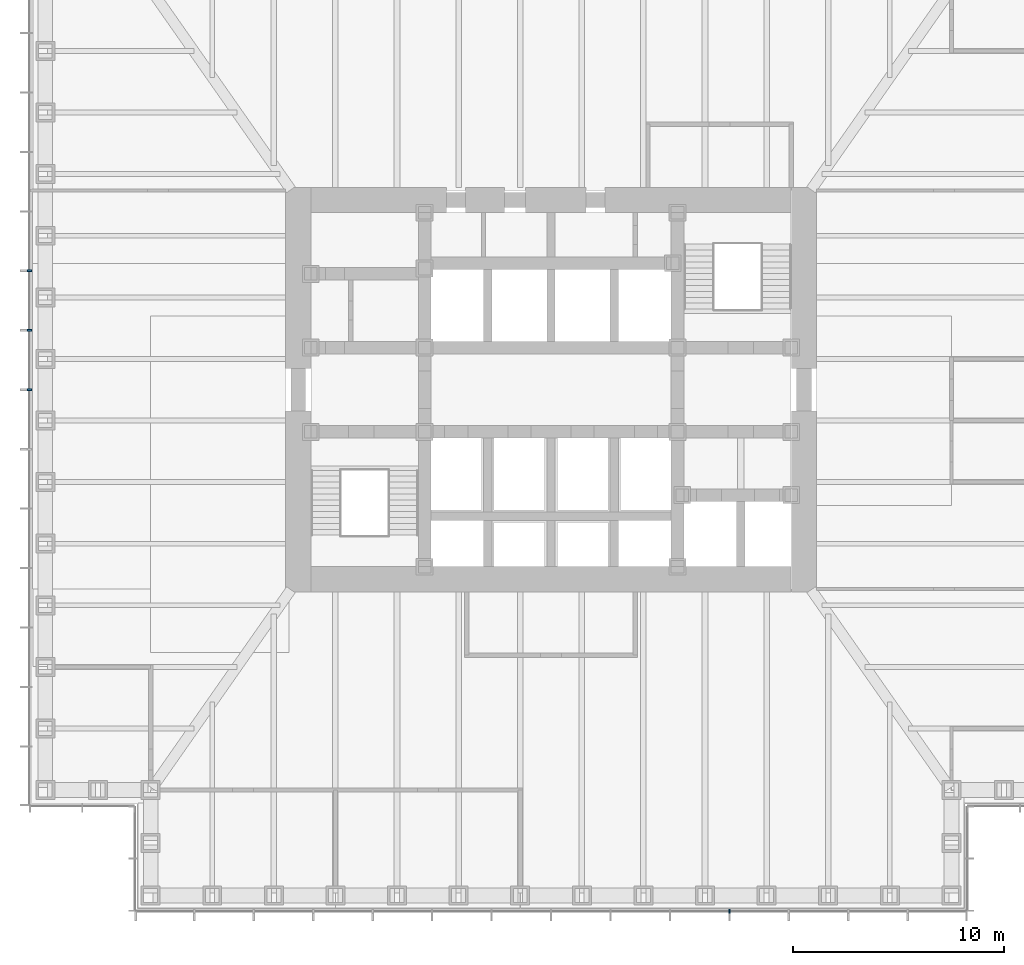
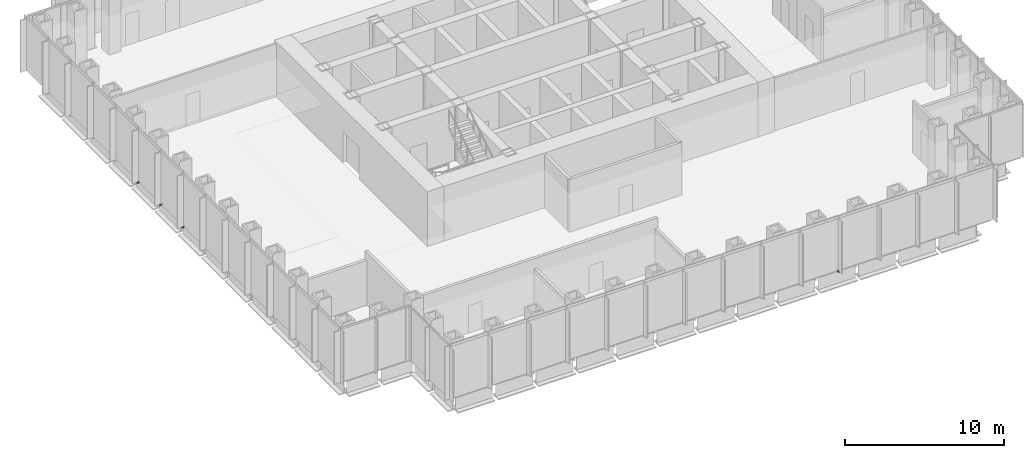
# One storey, part 12 of 16: 4 discrete accessories.
"""IFC4 building model written with IfcOpenShell, lengths in metres."""

from ifc_helpers import new_model, si_unit, direction, frame, origin, origin_2d, place, context, subcontext, project, spatial, rectangle, extrude, element, save


model = new_model("IFC4")

# Units and contexts
model_context = context("Model", 3, precision=1e-05, world=origin(), true_north=direction((0.0, 1.0)))
body_context = subcontext(model_context, "Body", "Model", "MODEL_VIEW")
ifc_project = project(units=[si_unit("LENGTHUNIT", "METRE"), si_unit("AREAUNIT", "SQUARE_METRE"), si_unit("VOLUMEUNIT", "CUBIC_METRE"), si_unit("PLANEANGLEUNIT", "RADIAN"), si_unit("MASSUNIT", "GRAM", prefix="KILO")], contexts=[model_context])

# Site, building, storey
site_placement = place(None, origin())
site = spatial("IfcSite", under=ifc_project, at=site_placement, CompositionType="ELEMENT")
building_placement = place(site_placement, origin())
building = spatial("IfcBuilding", under=site, at=building_placement, Name="Daluyong Arena Tower", CompositionType="ELEMENT")
storey_placement = place(building_placement, frame((0.0, 0.0, 68.5)))
storey = spatial("IfcBuildingStorey", under=building, at=storey_placement, Name="L14", CompositionType="ELEMENT", Elevation=68.5)

# Discrete accessories
for number, where, z_axis, x_axis, name in (
    (1, (64.46435546875, 55.25, -0.10009765625), (0.0, 0.0, 1.0), (1.0, 0.0, 0.0), "curtain wall L14 S anchor bracket 11"),
    (2, (31.25, 85.642822265625, -0.10009765625), (0.0, 0.0, 1.0), (0.0, -1.0, 0.0), "curtain wall L14 W anchor bracket 6"),
    (3, (31.25, 82.821533203125, -0.10009765625), (0.0, 0.0, 1.0), (0.0, -1.0, 0.0), "curtain wall L14 W anchor bracket 7"),
    (4, (31.25, 80.0, -0.10009765625), (0.0, 0.0, 1.0), (0.0, -1.0, 0.0), "curtain wall L14 W anchor bracket 8"),
):
    element("IfcDiscreteAccessory", number, at=place(storey_placement, frame(where, z_axis=z_axis, x_axis=x_axis)), inside=storey, Name=name, PredefinedType="BRACKET", context=body_context, shape_type="SweptSolid", body=[
        extrude(rectangle(XDim=0.080078125, YDim=0.199951171875, at=origin_2d()), origin(), (0.0, 0.0, 1.0), 0.10009765625),
    ])

save(model, "model.ifc")
